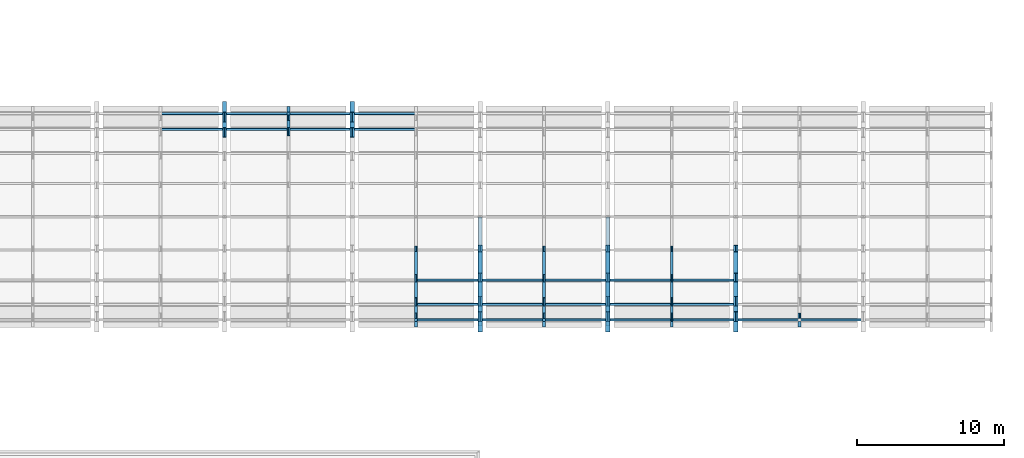
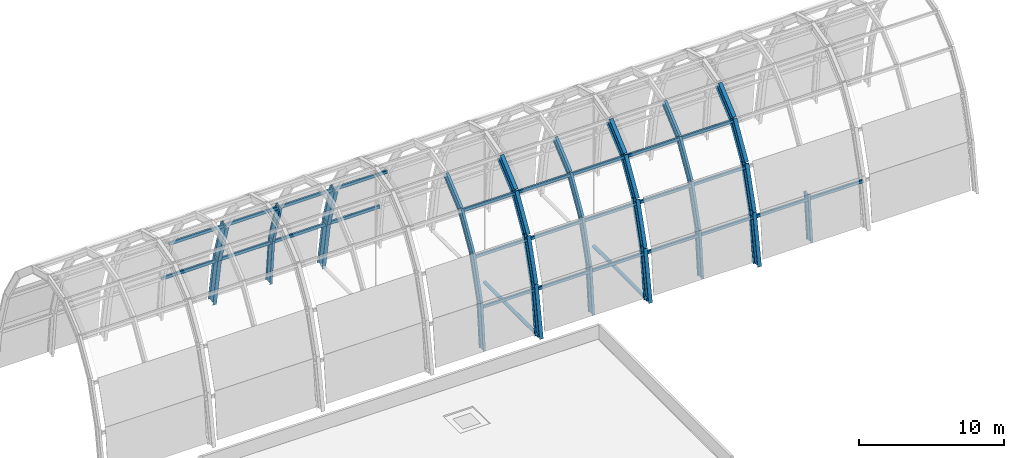
# One storey, part 4 of 13: 31 beams, 27 members.
"""IFC4 building model written with IfcOpenShell, lengths in metres."""

import ifcopenshell
import ifcopenshell.guid

model = None  # the IFC model being written
_history = None  # IfcOwnerHistory: only IFC2X3 demands one
_inside = {}  # id of a spatial element -> (the spatial element, [elements in it])
_under = {}  # id of a project, library or spatial element -> (it, [spatial elements below it])
_declared = {}  # id of a project -> (the project, [libraries it declares])
_typed = {}  # id of a type object -> (the type object, [elements of that type])
_made_of = {}  # id of a material, layer set ... -> (it, [elements and type objects made of it])


def new_model(schema):
    """Start an empty IFC model of exactly this schema.

    Asked for "IFC4X3", IfcOpenShell would pick the latest addendum, in which some entities
    have other attributes; the version numbers below select the first issue.
    IFC2X3 requires an IfcOwnerHistory on every rooted entity: one is made here for all.
    """
    global model, _history
    if schema == "IFC4X3":
        model = ifcopenshell.file(schema_version=(4, 3, 0, 0))
    else:
        model = ifcopenshell.file(schema=schema)
    _inside.clear()
    _under.clear()
    _declared.clear()
    _typed.clear()
    _made_of.clear()
    _history = None
    if model.schema == "IFC2X3":
        org = make("IfcOrganization", Name="unknown")
        user = make(
            "IfcPersonAndOrganization",
            ThePerson=make("IfcPerson", FamilyName="unknown"),
            TheOrganization=org,
        )
        app = make(
            "IfcApplication",
            ApplicationDeveloper=org,
            Version="unknown",
            ApplicationFullName="unknown",
            ApplicationIdentifier="unknown",
        )
        _history = make(
            "IfcOwnerHistory",
            OwningUser=user,
            OwningApplication=app,
            ChangeAction="ADDED",
            CreationDate=0,
        )
    return model


def make(cls, **values):
    """One entity of the class cls with the attributes given. An attribute that is None is left unset."""
    return model.create_entity(
        cls, **{name: value for name, value in values.items() if value is not None}
    )


def rooted(cls, **values):
    """An entity with a GlobalId (a new one), such as an element, a storey or a relation."""
    return make(cls, GlobalId=ifcopenshell.guid.new(), OwnerHistory=_history, **values)


def si_unit(unit_type, name, prefix=None):
    """IfcSIUnit, for example si_unit("LENGTHUNIT", "METRE", prefix="MILLI")."""
    return make("IfcSIUnit", UnitType=unit_type, Prefix=prefix, Name=name)


def derived_unit(unit_type, elements):
    """IfcDerivedUnit: a product of units, each with its exponent."""
    return make(
        "IfcDerivedUnit",
        Elements=[
            make("IfcDerivedUnitElement", Unit=unit, Exponent=power)
            for unit, power in elements
        ],
        UnitType=unit_type,
    )


def assignment(units):
    """IfcUnitAssignment: the units of a project."""
    return None if units is None else make("IfcUnitAssignment", Units=units)


def point(xyz):
    """IfcCartesianPoint."""
    return None if xyz is None else make("IfcCartesianPoint", Coordinates=xyz)


def direction(xyz):
    """IfcDirection."""
    return None if xyz is None else make("IfcDirection", DirectionRatios=xyz)


def frame(location, z_axis=None, x_axis=None):
    """IfcAxis2Placement3D, a coordinate frame: its origin and axes. An axis left out is left unset."""
    return make(
        "IfcAxis2Placement3D",
        Location=point(location),
        Axis=direction(z_axis),
        RefDirection=direction(x_axis),
    )


def frame_2d(location, x_axis=None):
    """IfcAxis2Placement2D, a coordinate frame in the plane: its origin and x axis."""
    return make(
        "IfcAxis2Placement2D", Location=point(location), RefDirection=direction(x_axis)
    )


def origin():
    """The frame at (0, 0, 0) with its axes left unset."""
    return frame((0.0, 0.0, 0.0))


def origin_2d():
    """The frame at (0, 0) in the plane with its x axis left unset."""
    return frame_2d((0.0, 0.0))


def place(relative_to, where):
    """IfcLocalPlacement: puts the frame where relative to a parent placement (None: the world)."""
    return make(
        "IfcLocalPlacement", PlacementRelTo=relative_to, RelativePlacement=where
    )


def context(
    kind, dimensions, precision=None, world=None, true_north=None, identifier=None
):
    """IfcGeometricRepresentationContext, for example the 3D "Model" context."""
    return make(
        "IfcGeometricRepresentationContext",
        ContextIdentifier=identifier,
        ContextType=kind,
        CoordinateSpaceDimension=dimensions,
        Precision=precision,
        WorldCoordinateSystem=world,
        TrueNorth=true_north,
    )


def subcontext(parent, identifier, kind, view, scale=None):
    """IfcGeometricRepresentationSubContext, for example "Body" below "Model"."""
    return make(
        "IfcGeometricRepresentationSubContext",
        ContextIdentifier=identifier,
        ContextType=kind,
        ParentContext=parent,
        TargetScale=scale,
        TargetView=view,
    )


def project(units=None, contexts=None):
    """IfcProject with its units and contexts."""
    return rooted(
        "IfcProject",
        Name="project",
        RepresentationContexts=contexts,
        UnitsInContext=assignment(units),
    )


def spatial(cls, under=None, at=None, **own):
    """A site, building, storey or space (cls), placed at a placement, below another one or the project."""
    s = rooted(cls, ObjectPlacement=at, **own)
    if under is not None:
        _under.setdefault(under.id(), (under, []))[1].append(s)
    return s


def profile(cls, at=None, kind="AREA", **sizes):
    """A parametric profile (cls). Its sizes go by their IFC names, for example OverallWidth=200.0."""
    return make(cls, ProfileType=kind, Position=at, **sizes)


def hollow_rectangle(**sizes):
    """IfcRectangleHollowProfileDef."""
    return profile("IfcRectangleHollowProfileDef", **sizes)


def hollow_circle(**sizes):
    """IfcCircleHollowProfileDef."""
    return profile("IfcCircleHollowProfileDef", **sizes)


def i_section(**sizes):
    """IfcIShapeProfileDef."""
    return profile("IfcIShapeProfileDef", **sizes)


def extrude(swept, where, along, depth):
    """IfcExtrudedAreaSolid: the profile swept, set in the frame where, extruded along a direction by depth."""
    return make(
        "IfcExtrudedAreaSolid",
        SweptArea=swept,
        Position=where,
        ExtrudedDirection=direction(along),
        Depth=depth,
    )


def shape(context_of_items, identifier, shape_type, items):
    """IfcShapeRepresentation: the items that make up one representation, for example the "Body"."""
    return make(
        "IfcShapeRepresentation",
        ContextOfItems=context_of_items,
        RepresentationIdentifier=identifier,
        RepresentationType=shape_type,
        Items=items,
    )


def material(Name=None, Category=None):
    """IfcMaterial."""
    return make("IfcMaterial", Name=Name, Category=Category)


def material_profile(
    of_material, cross_section, Name=None, Category=None, Priority=None
):
    """IfcMaterialProfile: a cross section and its material."""
    return make(
        "IfcMaterialProfile",
        Name=Name,
        Material=of_material,
        Profile=cross_section,
        Priority=Priority,
        Category=Category,
    )


def profile_set(profiles, Name=None, composite=None):
    """IfcMaterialProfileSet."""
    return make(
        "IfcMaterialProfileSet",
        Name=Name,
        MaterialProfiles=profiles,
        CompositeProfile=composite,
    )


def made_of(thing, what):
    """Note that an element or type object is made of a material, layer set ...; save() writes the relation."""
    if what is not None:
        _made_of.setdefault(what.id(), (what, []))[1].append(thing)
    return thing


def type_object(cls, material=None, **own):
    """A type object (cls), such as IfcWallType, which elements share."""
    return made_of(rooted(cls, **own), material)


def element(
    cls,
    number,
    at=None,
    inside=None,
    cuts=None,
    type_object=None,
    material=None,
    context=None,
    identifier="Body",
    shape_type=None,
    held_by="IfcProductDefinitionShape",
    body=None,
    shapes=None,
    **own,
):
    """One element of the class cls, such as IfcWall. Its Tag is "e" and its number.

    at: its placement. inside: the storey or other place that contains it. cuts: it is an
    opening in that element (IfcRelVoidsElement). A single representation is given by context,
    identifier, shape_type and body (its items); several are given by shapes. held_by: the class
    of the entity that holds the representations. save() writes the other relations.
    """
    e = rooted(cls, Tag="e%d" % number, ObjectPlacement=at, **own)
    if body is not None:
        shapes = [shape(context, identifier, shape_type, body)]
    if shapes is not None:
        e.Representation = make(held_by, Representations=shapes)
    if inside is not None:
        _inside.setdefault(inside.id(), (inside, []))[1].append(e)
    if cuts is not None:
        rooted(
            "IfcRelVoidsElement", RelatingBuildingElement=cuts, RelatedOpeningElement=e
        )
    if type_object is not None:
        _typed.setdefault(type_object.id(), (type_object, []))[1].append(e)
    return made_of(e, material)


def aggregate(whole, parts):
    """IfcRelAggregates: a whole, such as a stair, and the parts it consists of."""
    return rooted("IfcRelAggregates", RelatingObject=whole, RelatedObjects=parts)


def save(model, path):
    """Write the relations noted so far, then the file.

    IfcRelAggregates (storeys below a building ...), IfcRelContainedInSpatialStructure (elements
    in a storey), IfcRelDefinesByType, IfcRelAssociatesMaterial and IfcRelDeclares: one each for
    every whole, place, type object, material and project.
    """
    for whole, parts in _under.values():
        aggregate(whole, parts)
    for where, things in _inside.values():
        rooted(
            "IfcRelContainedInSpatialStructure",
            RelatedElements=things,
            RelatingStructure=where,
        )
    for kind, things in _typed.values():
        rooted("IfcRelDefinesByType", RelatedObjects=things, RelatingType=kind)
    for what, things in _made_of.values():
        rooted("IfcRelAssociatesMaterial", RelatedObjects=things, RelatingMaterial=what)
    for by, libraries in _declared.values():
        rooted("IfcRelDeclares", RelatingContext=by, RelatedDefinitions=libraries)
    model.write(path)


model = new_model("IFC4")

# Units and contexts
model_context = context("Model", 3, precision=1e-05, world=origin(), true_north=direction((0.0, 1.0)))
body_context = subcontext(model_context, "Body", "Model", "MODEL_VIEW")
ifc_project = project(units=[si_unit("LENGTHUNIT", "METRE"), si_unit("AREAUNIT", "SQUARE_METRE"), si_unit("VOLUMEUNIT", "CUBIC_METRE"), si_unit("PLANEANGLEUNIT", "RADIAN"), si_unit("MASSUNIT", "GRAM", prefix="KILO"), derived_unit("THERMALTRANSMITTANCEUNIT", [(si_unit("MASSUNIT", "GRAM", prefix="KILO"), 1), (si_unit("TIMEUNIT", "SECOND"), -3), (si_unit("THERMODYNAMICTEMPERATUREUNIT", "KELVIN"), -1)])], contexts=[model_context])

# Site, building, storey
site_placement = place(None, origin())
site = spatial("IfcSite", under=ifc_project, at=site_placement, CompositionType="ELEMENT")
building_placement = place(site_placement, origin())
building = spatial("IfcBuilding", under=site, at=building_placement, Name="Qinzheling Arcade Emporium", CompositionType="ELEMENT")
storey_placement = place(building_placement, frame((0.0, 0.0, 41.10009765625)))
storey = spatial("IfcBuildingStorey", under=building, at=storey_placement, Name="RF", CompositionType="ELEMENT", Elevation=41.10009765625)

# Beams
ifc_material = material(Name="Weathering steel Q355NH", Category="steel")
ifc_material_profile_1 = material_profile(ifc_material, i_section(OverallWidth=0.199951171875, OverallDepth=0.60009765625, WebThickness=0.010986328125, FlangeThickness=0.01708984375, FilletRadius=0.02001953125, at=origin_2d()), Name="HN 600x200x11x17", Category="steel")
ifc_profile_set_1 = profile_set([ifc_material_profile_1], Name="Weathering steel Q355NH")
beam_type_1 = type_object("IfcBeamType", Name="Atrium End Arch Rib HN600 Q355NH", PredefinedType="BEAM", material=ifc_profile_set_1)
beam_1_placement = place(storey_placement, frame((56.550048828125, 63.695068359375, 2.48583984375), z_axis=(0.0, 0.29012392853, -0.956989083581), x_axis=(-1.0, 0.0, 0.0)))
element("IfcBeam", 1, at=beam_1_placement, inside=storey, type_object=beam_type_1, Name="Atrium Sub-Rib VLT-ATRIUM-SRIB-B03-S09", PredefinedType="BEAM", context=body_context, shape_type="SweptSolid", body=[
    extrude(i_section(OverallWidth=0.199951171875, OverallDepth=0.60009765625, WebThickness=0.010986328125, FlangeThickness=0.01708984375, FilletRadius=0.02001953125, at=origin_2d()), origin(), (0.0, 0.0, 1.0), 3.60498046875),
])
for number, where, z_axis, x_axis, name in (
    (2, (56.550048828125, 64.740966796875, -0.964111328125), (0.0, 0.093291990198, -0.995638792216), (-1.0, 0.0, 0.0), "Atrium Sub-Rib VLT-ATRIUM-SRIB-B03-S10"),
    (3, (65.25, 50.697021484375, -4.828125), (0.0, 0.093291990198, 0.995638792216), (-1.0, 0.0, 0.0), "Atrium Sub-Rib VLT-ATRIUM-SRIB-B04-S01"),
):
    element("IfcBeam", number, at=place(storey_placement, frame(where, z_axis=z_axis, x_axis=x_axis)), inside=storey, type_object=beam_type_1, Name=name, PredefinedType="BEAM", context=body_context, shape_type="SweptSolid", body=[
        extrude(i_section(OverallWidth=0.199951171875, OverallDepth=0.60009765625, WebThickness=0.010986328125, FlangeThickness=0.01708984375, FilletRadius=0.02001953125, at=origin_2d()), origin(), (0.0, 0.0, 1.0), 3.880859375),
    ])
beam_2_placement = place(storey_placement, frame((65.25, 51.05908203125, -0.964111328125), z_axis=(0.0, 0.29012392853, 0.956989083581), x_axis=(-1.0, 0.0, 0.0)))
element("IfcBeam", 4, at=beam_2_placement, inside=storey, type_object=beam_type_1, Name="Atrium Sub-Rib VLT-ATRIUM-SRIB-B04-S02", PredefinedType="BEAM", context=body_context, shape_type="SweptSolid", body=[
    extrude(i_section(OverallWidth=0.199951171875, OverallDepth=0.60009765625, WebThickness=0.010986328125, FlangeThickness=0.01708984375, FilletRadius=0.02001953125, at=origin_2d()), origin(), (0.0, 0.0, 1.0), 3.60498046875),
])
beam_3_placement = place(storey_placement, frame((65.25, 52.10498046875, 2.48583984375), z_axis=(0.0, 0.511083106472, 0.859531301512), x_axis=(-1.0, 0.0, 0.0)))
element("IfcBeam", 5, at=beam_3_placement, inside=storey, type_object=beam_type_1, Name="Atrium Sub-Rib VLT-ATRIUM-SRIB-B04-S03", PredefinedType="BEAM", context=body_context, shape_type="SweptSolid", body=[
    extrude(i_section(OverallWidth=0.199951171875, OverallDepth=0.60009765625, WebThickness=0.010986328125, FlangeThickness=0.01708984375, FilletRadius=0.02001953125, at=origin_2d()), origin(), (0.0, 0.0, 1.0), 3.159912109375),
])
beam_4_placement = place(storey_placement, frame((65.25, 53.719970703125, 5.201904296875), z_axis=(0.0, 0.758897005565, 0.651210668636), x_axis=(-1.0, 0.0, 0.0)))
element("IfcBeam", 6, at=beam_4_placement, inside=storey, type_object=beam_type_1, Name="Atrium Sub-Rib VLT-ATRIUM-SRIB-B04-S04", PredefinedType="BEAM", context=body_context, shape_type="SweptSolid", body=[
    extrude(i_section(OverallWidth=0.199951171875, OverallDepth=0.60009765625, WebThickness=0.010986328125, FlangeThickness=0.01708984375, FilletRadius=0.02001953125, at=origin_2d()), origin(), (0.0, 0.0, 1.0), 2.63671875),
])
beam_5_placement = place(storey_placement, frame((73.949951171875, 50.697021484375, -4.828125), z_axis=(0.0, 0.093291990198, 0.995638792216), x_axis=(-1.0, 0.0, 0.0)))
element("IfcBeam", 7, at=beam_5_placement, inside=storey, type_object=beam_type_1, Name="Atrium Sub-Rib VLT-ATRIUM-SRIB-B05-S01", PredefinedType="BEAM", context=body_context, shape_type="SweptSolid", body=[
    extrude(i_section(OverallWidth=0.199951171875, OverallDepth=0.60009765625, WebThickness=0.010986328125, FlangeThickness=0.01708984375, FilletRadius=0.02001953125, at=origin_2d()), origin(), (0.0, 0.0, 1.0), 3.880859375),
])
beam_6_placement = place(storey_placement, frame((73.949951171875, 51.05908203125, -0.964111328125), z_axis=(0.0, 0.29012392853, 0.956989083581), x_axis=(-1.0, 0.0, 0.0)))
element("IfcBeam", 8, at=beam_6_placement, inside=storey, type_object=beam_type_1, Name="Atrium Sub-Rib VLT-ATRIUM-SRIB-B05-S02", PredefinedType="BEAM", context=body_context, shape_type="SweptSolid", body=[
    extrude(i_section(OverallWidth=0.199951171875, OverallDepth=0.60009765625, WebThickness=0.010986328125, FlangeThickness=0.01708984375, FilletRadius=0.02001953125, at=origin_2d()), origin(), (0.0, 0.0, 1.0), 3.60498046875),
])
beam_7_placement = place(storey_placement, frame((73.949951171875, 52.10498046875, 2.48583984375), z_axis=(0.0, 0.511083106472, 0.859531301512), x_axis=(-1.0, 0.0, 0.0)))
element("IfcBeam", 9, at=beam_7_placement, inside=storey, type_object=beam_type_1, Name="Atrium Sub-Rib VLT-ATRIUM-SRIB-B05-S03", PredefinedType="BEAM", context=body_context, shape_type="SweptSolid", body=[
    extrude(i_section(OverallWidth=0.199951171875, OverallDepth=0.60009765625, WebThickness=0.010986328125, FlangeThickness=0.01708984375, FilletRadius=0.02001953125, at=origin_2d()), origin(), (0.0, 0.0, 1.0), 3.159912109375),
])
beam_8_placement = place(storey_placement, frame((73.949951171875, 53.719970703125, 5.201904296875), z_axis=(0.0, 0.758897005565, 0.651210668636), x_axis=(-1.0, 0.0, 0.0)))
element("IfcBeam", 10, at=beam_8_placement, inside=storey, type_object=beam_type_1, Name="Atrium Sub-Rib VLT-ATRIUM-SRIB-B05-S04", PredefinedType="BEAM", context=body_context, shape_type="SweptSolid", body=[
    extrude(i_section(OverallWidth=0.199951171875, OverallDepth=0.60009765625, WebThickness=0.010986328125, FlangeThickness=0.01708984375, FilletRadius=0.02001953125, at=origin_2d()), origin(), (0.0, 0.0, 1.0), 2.63671875),
])
beam_9_placement = place(storey_placement, frame((82.64990234375, 50.697021484375, -4.828125), z_axis=(0.0, 0.093291990198, 0.995638792216), x_axis=(-1.0, 0.0, 0.0)))
element("IfcBeam", 11, at=beam_9_placement, inside=storey, type_object=beam_type_1, Name="Atrium Sub-Rib VLT-ATRIUM-SRIB-B06-S01", PredefinedType="BEAM", context=body_context, shape_type="SweptSolid", body=[
    extrude(i_section(OverallWidth=0.199951171875, OverallDepth=0.60009765625, WebThickness=0.010986328125, FlangeThickness=0.01708984375, FilletRadius=0.02001953125, at=origin_2d()), origin(), (0.0, 0.0, 1.0), 3.880859375),
])
beam_10_placement = place(storey_placement, frame((82.64990234375, 51.05908203125, -0.964111328125), z_axis=(0.0, 0.29012392853, 0.956989083581), x_axis=(-1.0, 0.0, 0.0)))
element("IfcBeam", 12, at=beam_10_placement, inside=storey, type_object=beam_type_1, Name="Atrium Sub-Rib VLT-ATRIUM-SRIB-B06-S02", PredefinedType="BEAM", context=body_context, shape_type="SweptSolid", body=[
    extrude(i_section(OverallWidth=0.199951171875, OverallDepth=0.60009765625, WebThickness=0.010986328125, FlangeThickness=0.01708984375, FilletRadius=0.02001953125, at=origin_2d()), origin(), (0.0, 0.0, 1.0), 3.60498046875),
])
beam_11_placement = place(storey_placement, frame((82.64990234375, 52.10498046875, 2.48583984375), z_axis=(0.0, 0.511083106472, 0.859531301512), x_axis=(-1.0, 0.0, 0.0)))
element("IfcBeam", 13, at=beam_11_placement, inside=storey, type_object=beam_type_1, Name="Atrium Sub-Rib VLT-ATRIUM-SRIB-B06-S03", PredefinedType="BEAM", context=body_context, shape_type="SweptSolid", body=[
    extrude(i_section(OverallWidth=0.199951171875, OverallDepth=0.60009765625, WebThickness=0.010986328125, FlangeThickness=0.01708984375, FilletRadius=0.02001953125, at=origin_2d()), origin(), (0.0, 0.0, 1.0), 3.159912109375),
])
beam_12_placement = place(storey_placement, frame((82.64990234375, 53.719970703125, 5.201904296875), z_axis=(0.0, 0.758897005565, 0.651210668636), x_axis=(-1.0, 0.0, 0.0)))
element("IfcBeam", 14, at=beam_12_placement, inside=storey, type_object=beam_type_1, Name="Atrium Sub-Rib VLT-ATRIUM-SRIB-B06-S04", PredefinedType="BEAM", context=body_context, shape_type="SweptSolid", body=[
    extrude(i_section(OverallWidth=0.199951171875, OverallDepth=0.60009765625, WebThickness=0.010986328125, FlangeThickness=0.01708984375, FilletRadius=0.02001953125, at=origin_2d()), origin(), (0.0, 0.0, 1.0), 2.63671875),
])
beam_13_placement = place(storey_placement, frame((91.35009765625, 50.697021484375, -4.828125), z_axis=(0.0, 0.093291990198, 0.995638792216), x_axis=(-1.0, 0.0, 0.0)))
element("IfcBeam", 15, at=beam_13_placement, inside=storey, type_object=beam_type_1, Name="Atrium Sub-Rib VLT-ATRIUM-SRIB-B07-S01", PredefinedType="BEAM", context=body_context, shape_type="SweptSolid", body=[
    extrude(i_section(OverallWidth=0.199951171875, OverallDepth=0.60009765625, WebThickness=0.010986328125, FlangeThickness=0.01708984375, FilletRadius=0.02001953125, at=origin_2d()), origin(), (0.0, 0.0, 1.0), 3.880859375),
])

# Members
ifc_material_profile_2 = material_profile(ifc_material, hollow_rectangle(XDim=0.159912109375, YDim=0.260009765625, WallThickness=0.010009765625, InnerFilletRadius=0.010009765625, OuterFilletRadius=0.02001953125, at=origin_2d()), Name="RHS 260x160x10", Category="steel")
ifc_profile_set_2 = profile_set([ifc_material_profile_2], Name="Weathering steel Q355NH")
member_type_1 = type_object("IfcMemberType", Name="Atrium Skylight Purlin RHS260 Q355NH", PredefinedType="PURLIN", material=ifc_profile_set_2)
for number, where, z_axis, x_axis, name in (
    (16, (47.85009765625, 63.85888671875, 2.201904296875), (1.0, 0.0, 0.0), (0.0, 1.0, 0.0), "Atrium Skylight Purlin VLT-ATRIUM-PUR-B02-N08-2"),
    (17, (47.85009765625, 64.916015625, -1.380126953125), (1.0, 0.0, 0.0), (0.0, 1.0, 0.0), "Atrium Skylight Purlin VLT-ATRIUM-PUR-B02-N09-2"),
):
    element("IfcMember", number, at=place(storey_placement, frame(where, z_axis=z_axis, x_axis=x_axis)), inside=storey, type_object=member_type_1, Name=name, PredefinedType="PURLIN", context=body_context, shape_type="SweptSolid", body=[
        extrude(hollow_rectangle(XDim=0.159912109375, YDim=0.260009765625, WallThickness=0.010009765625, InnerFilletRadius=0.010009765625, OuterFilletRadius=0.02001953125, at=origin_2d()), origin(), (0.0, 0.0, 1.0), 4.349853515625),
    ])
member_1_placement = place(storey_placement, frame((52.199951171875, 63.85888671875, 2.201904296875), z_axis=(1.0, 0.0, 0.0), x_axis=(0.0, 1.0, 0.0)))
element("IfcMember", 18, at=member_1_placement, inside=storey, type_object=member_type_1, Name="Atrium Skylight Purlin VLT-ATRIUM-PUR-B03-N08-1", PredefinedType="PURLIN", context=body_context, shape_type="SweptSolid", body=[
    extrude(hollow_rectangle(XDim=0.159912109375, YDim=0.260009765625, WallThickness=0.010009765625, InnerFilletRadius=0.010009765625, OuterFilletRadius=0.02001953125, at=origin_2d()), origin(), (0.0, 0.0, 1.0), 4.35009765625),
])
member_2_placement = place(storey_placement, frame((56.550048828125, 63.85888671875, 2.201904296875), z_axis=(1.0, 0.0, 0.0), x_axis=(0.0, 1.0, 0.0)))
element("IfcMember", 19, at=member_2_placement, inside=storey, type_object=member_type_1, Name="Atrium Skylight Purlin VLT-ATRIUM-PUR-B03-N08-2", PredefinedType="PURLIN", context=body_context, shape_type="SweptSolid", body=[
    extrude(hollow_rectangle(XDim=0.159912109375, YDim=0.260009765625, WallThickness=0.010009765625, InnerFilletRadius=0.010009765625, OuterFilletRadius=0.02001953125, at=origin_2d()), origin(), (0.0, 0.0, 1.0), 4.349853515625),
])
member_3_placement = place(storey_placement, frame((52.199951171875, 64.916015625, -1.380126953125), z_axis=(1.0, 0.0, 0.0), x_axis=(0.0, 1.0, 0.0)))
element("IfcMember", 20, at=member_3_placement, inside=storey, type_object=member_type_1, Name="Atrium Skylight Purlin VLT-ATRIUM-PUR-B03-N09-1", PredefinedType="PURLIN", context=body_context, shape_type="SweptSolid", body=[
    extrude(hollow_rectangle(XDim=0.159912109375, YDim=0.260009765625, WallThickness=0.010009765625, InnerFilletRadius=0.010009765625, OuterFilletRadius=0.02001953125, at=origin_2d()), origin(), (0.0, 0.0, 1.0), 4.35009765625),
])
member_4_placement = place(storey_placement, frame((56.550048828125, 64.916015625, -1.380126953125), z_axis=(1.0, 0.0, 0.0), x_axis=(0.0, 1.0, 0.0)))
element("IfcMember", 21, at=member_4_placement, inside=storey, type_object=member_type_1, Name="Atrium Skylight Purlin VLT-ATRIUM-PUR-B03-N09-2", PredefinedType="PURLIN", context=body_context, shape_type="SweptSolid", body=[
    extrude(hollow_rectangle(XDim=0.159912109375, YDim=0.260009765625, WallThickness=0.010009765625, InnerFilletRadius=0.010009765625, OuterFilletRadius=0.02001953125, at=origin_2d()), origin(), (0.0, 0.0, 1.0), 4.349853515625),
])
for number, where, z_axis, x_axis, name in (
    (22, (65.25, 50.884033203125, -1.380126953125), (1.0, 0.0, 0.0), (0.0, 1.0, 0.0), "Atrium Skylight Purlin VLT-ATRIUM-PUR-B04-N01-2"),
    (23, (65.25, 51.94091796875, 2.201904296875), (1.0, 0.0, 0.0), (0.0, 1.0, 0.0), "Atrium Skylight Purlin VLT-ATRIUM-PUR-B04-N02-2"),
    (24, (65.25, 53.5830078125, 5.1240234375), (1.0, 0.0, 0.0), (0.0, 1.0, 0.0), "Atrium Skylight Purlin VLT-ATRIUM-PUR-B04-N03-2"),
    (25, (60.89990234375, 63.85888671875, 2.201904296875), (1.0, 0.0, 0.0), (0.0, 1.0, 0.0), "Atrium Skylight Purlin VLT-ATRIUM-PUR-B04-N08-1"),
    (26, (60.89990234375, 64.916015625, -1.380126953125), (1.0, 0.0, 0.0), (0.0, 1.0, 0.0), "Atrium Skylight Purlin VLT-ATRIUM-PUR-B04-N09-1"),
):
    element("IfcMember", number, at=place(storey_placement, frame(where, z_axis=z_axis, x_axis=x_axis)), inside=storey, type_object=member_type_1, Name=name, PredefinedType="PURLIN", context=body_context, shape_type="SweptSolid", body=[
        extrude(hollow_rectangle(XDim=0.159912109375, YDim=0.260009765625, WallThickness=0.010009765625, InnerFilletRadius=0.010009765625, OuterFilletRadius=0.02001953125, at=origin_2d()), origin(), (0.0, 0.0, 1.0), 4.35009765625),
    ])
member_5_placement = place(storey_placement, frame((69.60009765625, 50.884033203125, -1.380126953125), z_axis=(1.0, 0.0, 0.0), x_axis=(0.0, 1.0, 0.0)))
element("IfcMember", 27, at=member_5_placement, inside=storey, type_object=member_type_1, Name="Atrium Skylight Purlin VLT-ATRIUM-PUR-B05-N01-1", PredefinedType="PURLIN", context=body_context, shape_type="SweptSolid", body=[
    extrude(hollow_rectangle(XDim=0.159912109375, YDim=0.260009765625, WallThickness=0.010009765625, InnerFilletRadius=0.010009765625, OuterFilletRadius=0.02001953125, at=origin_2d()), origin(), (0.0, 0.0, 1.0), 4.349853515625),
])
member_6_placement = place(storey_placement, frame((73.949951171875, 50.884033203125, -1.380126953125), z_axis=(1.0, 0.0, 0.0), x_axis=(0.0, 1.0, 0.0)))
element("IfcMember", 28, at=member_6_placement, inside=storey, type_object=member_type_1, Name="Atrium Skylight Purlin VLT-ATRIUM-PUR-B05-N01-2", PredefinedType="PURLIN", context=body_context, shape_type="SweptSolid", body=[
    extrude(hollow_rectangle(XDim=0.159912109375, YDim=0.260009765625, WallThickness=0.010009765625, InnerFilletRadius=0.010009765625, OuterFilletRadius=0.02001953125, at=origin_2d()), origin(), (0.0, 0.0, 1.0), 4.35009765625),
])
member_7_placement = place(storey_placement, frame((69.60009765625, 51.94091796875, 2.201904296875), z_axis=(1.0, 0.0, 0.0), x_axis=(0.0, 1.0, 0.0)))
element("IfcMember", 29, at=member_7_placement, inside=storey, type_object=member_type_1, Name="Atrium Skylight Purlin VLT-ATRIUM-PUR-B05-N02-1", PredefinedType="PURLIN", context=body_context, shape_type="SweptSolid", body=[
    extrude(hollow_rectangle(XDim=0.159912109375, YDim=0.260009765625, WallThickness=0.010009765625, InnerFilletRadius=0.010009765625, OuterFilletRadius=0.02001953125, at=origin_2d()), origin(), (0.0, 0.0, 1.0), 4.349853515625),
])
member_8_placement = place(storey_placement, frame((73.949951171875, 51.94091796875, 2.201904296875), z_axis=(1.0, 0.0, 0.0), x_axis=(0.0, 1.0, 0.0)))
element("IfcMember", 30, at=member_8_placement, inside=storey, type_object=member_type_1, Name="Atrium Skylight Purlin VLT-ATRIUM-PUR-B05-N02-2", PredefinedType="PURLIN", context=body_context, shape_type="SweptSolid", body=[
    extrude(hollow_rectangle(XDim=0.159912109375, YDim=0.260009765625, WallThickness=0.010009765625, InnerFilletRadius=0.010009765625, OuterFilletRadius=0.02001953125, at=origin_2d()), origin(), (0.0, 0.0, 1.0), 4.35009765625),
])
member_9_placement = place(storey_placement, frame((69.60009765625, 53.5830078125, 5.1240234375), z_axis=(1.0, 0.0, 0.0), x_axis=(0.0, 1.0, 0.0)))
element("IfcMember", 31, at=member_9_placement, inside=storey, type_object=member_type_1, Name="Atrium Skylight Purlin VLT-ATRIUM-PUR-B05-N03-1", PredefinedType="PURLIN", context=body_context, shape_type="SweptSolid", body=[
    extrude(hollow_rectangle(XDim=0.159912109375, YDim=0.260009765625, WallThickness=0.010009765625, InnerFilletRadius=0.010009765625, OuterFilletRadius=0.02001953125, at=origin_2d()), origin(), (0.0, 0.0, 1.0), 4.349853515625),
])
member_10_placement = place(storey_placement, frame((73.949951171875, 53.5830078125, 5.1240234375), z_axis=(1.0, 0.0, 0.0), x_axis=(0.0, 1.0, 0.0)))
element("IfcMember", 32, at=member_10_placement, inside=storey, type_object=member_type_1, Name="Atrium Skylight Purlin VLT-ATRIUM-PUR-B05-N03-2", PredefinedType="PURLIN", context=body_context, shape_type="SweptSolid", body=[
    extrude(hollow_rectangle(XDim=0.159912109375, YDim=0.260009765625, WallThickness=0.010009765625, InnerFilletRadius=0.010009765625, OuterFilletRadius=0.02001953125, at=origin_2d()), origin(), (0.0, 0.0, 1.0), 4.35009765625),
])
member_11_placement = place(storey_placement, frame((78.300048828125, 50.884033203125, -1.380126953125), z_axis=(1.0, 0.0, 0.0), x_axis=(0.0, 1.0, 0.0)))
element("IfcMember", 33, at=member_11_placement, inside=storey, type_object=member_type_1, Name="Atrium Skylight Purlin VLT-ATRIUM-PUR-B06-N01-1", PredefinedType="PURLIN", context=body_context, shape_type="SweptSolid", body=[
    extrude(hollow_rectangle(XDim=0.159912109375, YDim=0.260009765625, WallThickness=0.010009765625, InnerFilletRadius=0.010009765625, OuterFilletRadius=0.02001953125, at=origin_2d()), origin(), (0.0, 0.0, 1.0), 4.349853515625),
])
member_12_placement = place(storey_placement, frame((82.64990234375, 50.884033203125, -1.380126953125), z_axis=(1.0, 0.0, 0.0), x_axis=(0.0, 1.0, 0.0)))
element("IfcMember", 34, at=member_12_placement, inside=storey, type_object=member_type_1, Name="Atrium Skylight Purlin VLT-ATRIUM-PUR-B06-N01-2", PredefinedType="PURLIN", context=body_context, shape_type="SweptSolid", body=[
    extrude(hollow_rectangle(XDim=0.159912109375, YDim=0.260009765625, WallThickness=0.010009765625, InnerFilletRadius=0.010009765625, OuterFilletRadius=0.02001953125, at=origin_2d()), origin(), (0.0, 0.0, 1.0), 4.35009765625),
])
member_13_placement = place(storey_placement, frame((78.300048828125, 51.94091796875, 2.201904296875), z_axis=(1.0, 0.0, 0.0), x_axis=(0.0, 1.0, 0.0)))
element("IfcMember", 35, at=member_13_placement, inside=storey, type_object=member_type_1, Name="Atrium Skylight Purlin VLT-ATRIUM-PUR-B06-N02-1", PredefinedType="PURLIN", context=body_context, shape_type="SweptSolid", body=[
    extrude(hollow_rectangle(XDim=0.159912109375, YDim=0.260009765625, WallThickness=0.010009765625, InnerFilletRadius=0.010009765625, OuterFilletRadius=0.02001953125, at=origin_2d()), origin(), (0.0, 0.0, 1.0), 4.349853515625),
])
member_14_placement = place(storey_placement, frame((82.64990234375, 51.94091796875, 2.201904296875), z_axis=(1.0, 0.0, 0.0), x_axis=(0.0, 1.0, 0.0)))
element("IfcMember", 36, at=member_14_placement, inside=storey, type_object=member_type_1, Name="Atrium Skylight Purlin VLT-ATRIUM-PUR-B06-N02-2", PredefinedType="PURLIN", context=body_context, shape_type="SweptSolid", body=[
    extrude(hollow_rectangle(XDim=0.159912109375, YDim=0.260009765625, WallThickness=0.010009765625, InnerFilletRadius=0.010009765625, OuterFilletRadius=0.02001953125, at=origin_2d()), origin(), (0.0, 0.0, 1.0), 4.35009765625),
])
member_15_placement = place(storey_placement, frame((78.300048828125, 53.5830078125, 5.1240234375), z_axis=(1.0, 0.0, 0.0), x_axis=(0.0, 1.0, 0.0)))
element("IfcMember", 37, at=member_15_placement, inside=storey, type_object=member_type_1, Name="Atrium Skylight Purlin VLT-ATRIUM-PUR-B06-N03-1", PredefinedType="PURLIN", context=body_context, shape_type="SweptSolid", body=[
    extrude(hollow_rectangle(XDim=0.159912109375, YDim=0.260009765625, WallThickness=0.010009765625, InnerFilletRadius=0.010009765625, OuterFilletRadius=0.02001953125, at=origin_2d()), origin(), (0.0, 0.0, 1.0), 4.349853515625),
])
for number, where, z_axis, x_axis, name in (
    (38, (82.64990234375, 53.5830078125, 5.1240234375), (1.0, 0.0, 0.0), (0.0, 1.0, 0.0), "Atrium Skylight Purlin VLT-ATRIUM-PUR-B06-N03-2"),
    (39, (87.0, 50.884033203125, -1.380126953125), (1.0, 0.0, 0.0), (0.0, 1.0, 0.0), "Atrium Skylight Purlin VLT-ATRIUM-PUR-B07-N01-1"),
):
    element("IfcMember", number, at=place(storey_placement, frame(where, z_axis=z_axis, x_axis=x_axis)), inside=storey, type_object=member_type_1, Name=name, PredefinedType="PURLIN", context=body_context, shape_type="SweptSolid", body=[
        extrude(hollow_rectangle(XDim=0.159912109375, YDim=0.260009765625, WallThickness=0.010009765625, InnerFilletRadius=0.010009765625, OuterFilletRadius=0.02001953125, at=origin_2d()), origin(), (0.0, 0.0, 1.0), 4.35009765625),
    ])
member_16_placement = place(storey_placement, frame((91.35009765625, 50.884033203125, -1.380126953125), z_axis=(1.0, 0.0, 0.0), x_axis=(0.0, 1.0, 0.0)))
element("IfcMember", 40, at=member_16_placement, inside=storey, type_object=member_type_1, Name="Atrium Skylight Purlin VLT-ATRIUM-PUR-B07-N01-2", PredefinedType="PURLIN", context=body_context, shape_type="SweptSolid", body=[
    extrude(hollow_rectangle(XDim=0.159912109375, YDim=0.260009765625, WallThickness=0.010009765625, InnerFilletRadius=0.010009765625, OuterFilletRadius=0.02001953125, at=origin_2d()), origin(), (0.0, 0.0, 1.0), 4.349853515625),
])

# Beams
ifc_material_profile_3 = material_profile(ifc_material, i_section(OverallWidth=0.300048828125, OverallDepth=0.699951171875, WebThickness=0.012939453125, FlangeThickness=0.02392578125, FilletRadius=0.02392578125, at=origin_2d()), Name="HN 700x300x13x24", Category="steel")
ifc_profile_set_3 = profile_set([ifc_material_profile_3], Name="Weathering steel Q355NH")
beam_type_2 = type_object("IfcBeamType", Name="Atrium Vault Arch Rib HN700 Q355NH", PredefinedType="BEAM", material=ifc_profile_set_3)
beam_14_placement = place(storey_placement, frame((52.199951171875, 63.64794921875, 2.46484375), z_axis=(0.0, 0.289977224011, -0.957033546724), x_axis=(-1.0, 0.0, 0.0)))
element("IfcBeam", 41, at=beam_14_placement, inside=storey, type_object=beam_type_2, Name="Atrium Arch Rib VLT-ATRIUM-RIB-03-S09", PredefinedType="BEAM", context=body_context, shape_type="SweptSolid", body=[
    extrude(i_section(OverallWidth=0.300048828125, OverallDepth=0.699951171875, WebThickness=0.012939453125, FlangeThickness=0.02392578125, FilletRadius=0.02392578125, at=origin_2d()), origin(), (0.0, 0.0, 1.0), 3.59326171875),
])
beam_15_placement = place(storey_placement, frame((52.199951171875, 64.68994140625, -0.97412109375), z_axis=(0.0, 0.167603896414, -0.985854418211), x_axis=(-1.0, 0.0, 0.0)))
element("IfcBeam", 42, at=beam_15_placement, inside=storey, type_object=beam_type_2, Name="Atrium Arch Rib VLT-ATRIUM-RIB-03-S10", PredefinedType="BEAM", context=body_context, shape_type="SweptSolid", body=[
    extrude(i_section(OverallWidth=0.300048828125, OverallDepth=0.699951171875, WebThickness=0.012939453125, FlangeThickness=0.02392578125, FilletRadius=0.02392578125, at=origin_2d()), origin(), (0.0, 0.0, 1.0), 4.23583984375),
])
beam_16_placement = place(storey_placement, frame((60.89990234375, 63.64794921875, 2.46484375), z_axis=(0.0, 0.289977224011, -0.957033546724), x_axis=(-1.0, 0.0, 0.0)))
element("IfcBeam", 43, at=beam_16_placement, inside=storey, type_object=beam_type_2, Name="Atrium Arch Rib VLT-ATRIUM-RIB-04-S09", PredefinedType="BEAM", context=body_context, shape_type="SweptSolid", body=[
    extrude(i_section(OverallWidth=0.300048828125, OverallDepth=0.699951171875, WebThickness=0.012939453125, FlangeThickness=0.02392578125, FilletRadius=0.02392578125, at=origin_2d()), origin(), (0.0, 0.0, 1.0), 3.59326171875),
])
beam_17_placement = place(storey_placement, frame((60.89990234375, 64.68994140625, -0.97412109375), z_axis=(0.0, 0.167603896414, -0.985854418211), x_axis=(-1.0, 0.0, 0.0)))
element("IfcBeam", 44, at=beam_17_placement, inside=storey, type_object=beam_type_2, Name="Atrium Arch Rib VLT-ATRIUM-RIB-04-S10", PredefinedType="BEAM", context=body_context, shape_type="SweptSolid", body=[
    extrude(i_section(OverallWidth=0.300048828125, OverallDepth=0.699951171875, WebThickness=0.012939453125, FlangeThickness=0.02392578125, FilletRadius=0.02392578125, at=origin_2d()), origin(), (0.0, 0.0, 1.0), 4.23583984375),
])
beam_18_placement = place(storey_placement, frame((69.60009765625, 50.39990234375, -5.150146484375), z_axis=(0.0, 0.167659912013, 0.985844893431), x_axis=(-1.0, 0.0, 0.0)))
element("IfcBeam", 45, at=beam_18_placement, inside=storey, type_object=beam_type_2, Name="Atrium Arch Rib VLT-ATRIUM-RIB-05-S01", PredefinedType="BEAM", context=body_context, shape_type="SweptSolid", body=[
    extrude(i_section(OverallWidth=0.300048828125, OverallDepth=0.699951171875, WebThickness=0.012939453125, FlangeThickness=0.02392578125, FilletRadius=0.02392578125, at=origin_2d()), origin(), (0.0, 0.0, 1.0), 4.236083984375),
])
beam_19_placement = place(storey_placement, frame((69.60009765625, 51.110107421875, -0.97412109375), z_axis=(0.0, 0.289977224011, 0.957033546724), x_axis=(-1.0, 0.0, 0.0)))
element("IfcBeam", 46, at=beam_19_placement, inside=storey, type_object=beam_type_2, Name="Atrium Arch Rib VLT-ATRIUM-RIB-05-S02", PredefinedType="BEAM", context=body_context, shape_type="SweptSolid", body=[
    extrude(i_section(OverallWidth=0.300048828125, OverallDepth=0.699951171875, WebThickness=0.012939453125, FlangeThickness=0.02392578125, FilletRadius=0.02392578125, at=origin_2d()), origin(), (0.0, 0.0, 1.0), 3.59326171875),
])
beam_20_placement = place(storey_placement, frame((69.60009765625, 52.152099609375, 2.46484375), z_axis=(0.0, 0.511090888191, 0.859526674401), x_axis=(-1.0, 0.0, 0.0)))
element("IfcBeam", 47, at=beam_20_placement, inside=storey, type_object=beam_type_2, Name="Atrium Arch Rib VLT-ATRIUM-RIB-05-S03", PredefinedType="BEAM", context=body_context, shape_type="SweptSolid", body=[
    extrude(i_section(OverallWidth=0.300048828125, OverallDepth=0.699951171875, WebThickness=0.012939453125, FlangeThickness=0.02392578125, FilletRadius=0.02392578125, at=origin_2d()), origin(), (0.0, 0.0, 1.0), 3.14599609375),
])
beam_21_placement = place(storey_placement, frame((69.60009765625, 53.760009765625, 5.1689453125), z_axis=(0.0, 0.758815061516, 0.651306151066), x_axis=(-1.0, 0.0, 0.0)))
element("IfcBeam", 48, at=beam_21_placement, inside=storey, type_object=beam_type_2, Name="Atrium Arch Rib VLT-ATRIUM-RIB-05-S04", PredefinedType="BEAM", context=body_context, shape_type="SweptSolid", body=[
    extrude(i_section(OverallWidth=0.300048828125, OverallDepth=0.699951171875, WebThickness=0.012939453125, FlangeThickness=0.02392578125, FilletRadius=0.02392578125, at=origin_2d()), origin(), (0.0, 0.0, 1.0), 2.615966796875),
])
beam_22_placement = place(storey_placement, frame((78.300048828125, 50.39990234375, -5.150146484375), z_axis=(0.0, 0.167659912013, 0.985844893431), x_axis=(-1.0, 0.0, 0.0)))
element("IfcBeam", 49, at=beam_22_placement, inside=storey, type_object=beam_type_2, Name="Atrium Arch Rib VLT-ATRIUM-RIB-06-S01", PredefinedType="BEAM", context=body_context, shape_type="SweptSolid", body=[
    extrude(i_section(OverallWidth=0.300048828125, OverallDepth=0.699951171875, WebThickness=0.012939453125, FlangeThickness=0.02392578125, FilletRadius=0.02392578125, at=origin_2d()), origin(), (0.0, 0.0, 1.0), 4.236083984375),
])
beam_23_placement = place(storey_placement, frame((78.300048828125, 51.110107421875, -0.97412109375), z_axis=(0.0, 0.289977224011, 0.957033546724), x_axis=(-1.0, 0.0, 0.0)))
element("IfcBeam", 50, at=beam_23_placement, inside=storey, type_object=beam_type_2, Name="Atrium Arch Rib VLT-ATRIUM-RIB-06-S02", PredefinedType="BEAM", context=body_context, shape_type="SweptSolid", body=[
    extrude(i_section(OverallWidth=0.300048828125, OverallDepth=0.699951171875, WebThickness=0.012939453125, FlangeThickness=0.02392578125, FilletRadius=0.02392578125, at=origin_2d()), origin(), (0.0, 0.0, 1.0), 3.59326171875),
])
beam_24_placement = place(storey_placement, frame((78.300048828125, 52.152099609375, 2.46484375), z_axis=(0.0, 0.511090888191, 0.859526674401), x_axis=(-1.0, 0.0, 0.0)))
element("IfcBeam", 51, at=beam_24_placement, inside=storey, type_object=beam_type_2, Name="Atrium Arch Rib VLT-ATRIUM-RIB-06-S03", PredefinedType="BEAM", context=body_context, shape_type="SweptSolid", body=[
    extrude(i_section(OverallWidth=0.300048828125, OverallDepth=0.699951171875, WebThickness=0.012939453125, FlangeThickness=0.02392578125, FilletRadius=0.02392578125, at=origin_2d()), origin(), (0.0, 0.0, 1.0), 3.14599609375),
])
beam_25_placement = place(storey_placement, frame((78.300048828125, 53.760009765625, 5.1689453125), z_axis=(0.0, 0.758815061516, 0.651306151066), x_axis=(-1.0, 0.0, 0.0)))
element("IfcBeam", 52, at=beam_25_placement, inside=storey, type_object=beam_type_2, Name="Atrium Arch Rib VLT-ATRIUM-RIB-06-S04", PredefinedType="BEAM", context=body_context, shape_type="SweptSolid", body=[
    extrude(i_section(OverallWidth=0.300048828125, OverallDepth=0.699951171875, WebThickness=0.012939453125, FlangeThickness=0.02392578125, FilletRadius=0.02392578125, at=origin_2d()), origin(), (0.0, 0.0, 1.0), 2.615966796875),
])
beam_26_placement = place(storey_placement, frame((87.0, 50.39990234375, -5.150146484375), z_axis=(0.0, 0.167659912013, 0.985844893431), x_axis=(-1.0, 0.0, 0.0)))
element("IfcBeam", 53, at=beam_26_placement, inside=storey, type_object=beam_type_2, Name="Atrium Arch Rib VLT-ATRIUM-RIB-07-S01", PredefinedType="BEAM", context=body_context, shape_type="SweptSolid", body=[
    extrude(i_section(OverallWidth=0.300048828125, OverallDepth=0.699951171875, WebThickness=0.012939453125, FlangeThickness=0.02392578125, FilletRadius=0.02392578125, at=origin_2d()), origin(), (0.0, 0.0, 1.0), 4.236083984375),
])
beam_27_placement = place(storey_placement, frame((87.0, 51.110107421875, -0.97412109375), z_axis=(0.0, 0.289977224011, 0.957033546724), x_axis=(-1.0, 0.0, 0.0)))
element("IfcBeam", 54, at=beam_27_placement, inside=storey, type_object=beam_type_2, Name="Atrium Arch Rib VLT-ATRIUM-RIB-07-S02", PredefinedType="BEAM", context=body_context, shape_type="SweptSolid", body=[
    extrude(i_section(OverallWidth=0.300048828125, OverallDepth=0.699951171875, WebThickness=0.012939453125, FlangeThickness=0.02392578125, FilletRadius=0.02392578125, at=origin_2d()), origin(), (0.0, 0.0, 1.0), 3.59326171875),
])
beam_28_placement = place(storey_placement, frame((87.0, 52.152099609375, 2.46484375), z_axis=(0.0, 0.511090888191, 0.859526674401), x_axis=(-1.0, 0.0, 0.0)))
element("IfcBeam", 55, at=beam_28_placement, inside=storey, type_object=beam_type_2, Name="Atrium Arch Rib VLT-ATRIUM-RIB-07-S03", PredefinedType="BEAM", context=body_context, shape_type="SweptSolid", body=[
    extrude(i_section(OverallWidth=0.300048828125, OverallDepth=0.699951171875, WebThickness=0.012939453125, FlangeThickness=0.02392578125, FilletRadius=0.02392578125, at=origin_2d()), origin(), (0.0, 0.0, 1.0), 3.14599609375),
])
beam_29_placement = place(storey_placement, frame((87.0, 53.760009765625, 5.1689453125), z_axis=(0.0, 0.758815061516, 0.651306151066), x_axis=(-1.0, 0.0, 0.0)))
element("IfcBeam", 56, at=beam_29_placement, inside=storey, type_object=beam_type_2, Name="Atrium Arch Rib VLT-ATRIUM-RIB-07-S04", PredefinedType="BEAM", context=body_context, shape_type="SweptSolid", body=[
    extrude(i_section(OverallWidth=0.300048828125, OverallDepth=0.699951171875, WebThickness=0.012939453125, FlangeThickness=0.02392578125, FilletRadius=0.02392578125, at=origin_2d()), origin(), (0.0, 0.0, 1.0), 2.615966796875),
])

# Members
ifc_material_profile_4 = material_profile(ifc_material, hollow_circle(Radius=0.136474609375, WallThickness=0.011962890625, at=origin_2d()), Name="CHS 273x12", Category="steel")
ifc_profile_set_4 = profile_set([ifc_material_profile_4], Name="Weathering steel Q355NH")
member_type_2 = type_object("IfcMemberType", Name="Vault Thrust Tie Chord CHS273 Q355NH", PredefinedType="CHORD", material=ifc_profile_set_4)
for number, where, z_axis, x_axis, name in (
    (57, (69.60009765625, 50.449951171875, -5.050048828125), (0.0, 1.0, 0.0), (-1.0, 0.0, 0.0), "Atrium Thrust Tie VLT-ATRIUM-TIE-05-1"),
    (58, (78.300048828125, 50.449951171875, -5.050048828125), (0.0, 1.0, 0.0), (-1.0, 0.0, 0.0), "Atrium Thrust Tie VLT-ATRIUM-TIE-06-1"),
):
    element("IfcMember", number, at=place(storey_placement, frame(where, z_axis=z_axis, x_axis=x_axis)), inside=storey, type_object=member_type_2, Name=name, PredefinedType="CHORD", context=body_context, shape_type="SweptSolid", body=[
        extrude(hollow_circle(Radius=0.136474609375, WallThickness=0.011962890625, at=origin_2d()), origin(), (0.0, 0.0, 1.0), 7.449951171875),
    ])

save(model, "model.ifc")
